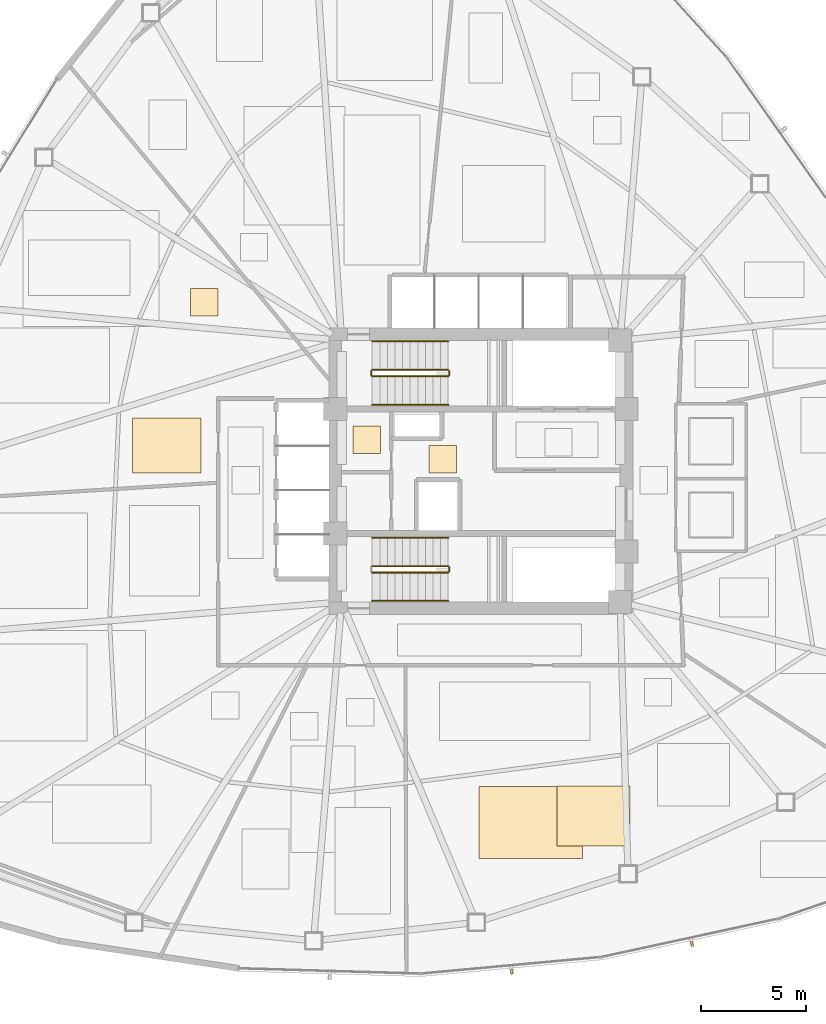
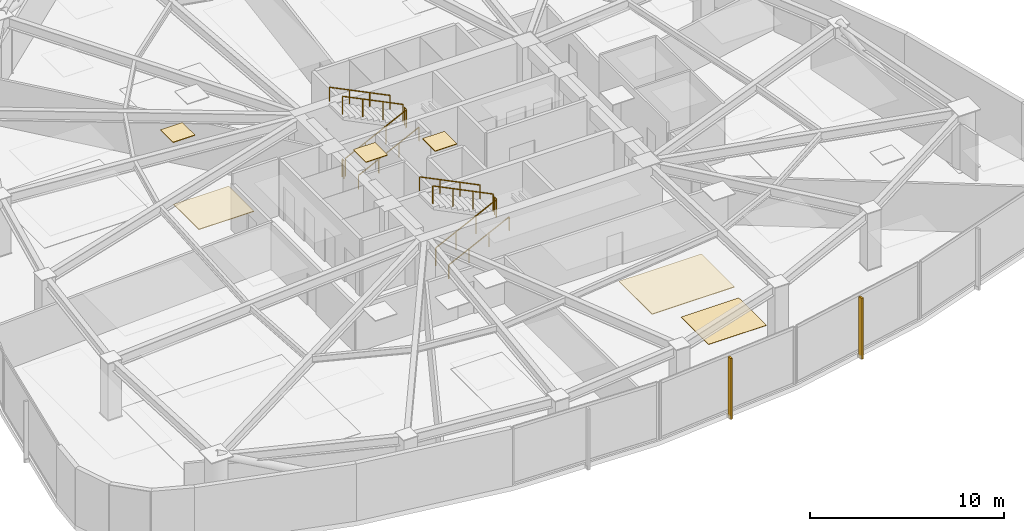
# One storey, part 14 of 16: 11 railings, 6 coverings, 2 shading devices.
"""IFC4 building model written with IfcOpenShell, lengths in metres."""

from ifc_helpers import new_model, si_unit, direction, frame, origin, origin_2d, place, context, subcontext, project, spatial, polyline, rectangle, outline, extrude, source, transform, mapped, material, layer, layer_set, type_object, type_shapes, element, save


model = new_model("IFC4")

# Units and contexts
model_context = context("Model", 3, precision=1e-05, world=origin(), true_north=direction((0.0, 1.0)))
body_context = subcontext(model_context, "Body", "Model", "MODEL_VIEW")
ifc_project = project(units=[si_unit("LENGTHUNIT", "METRE"), si_unit("AREAUNIT", "SQUARE_METRE"), si_unit("VOLUMEUNIT", "CUBIC_METRE"), si_unit("PLANEANGLEUNIT", "RADIAN"), si_unit("MASSUNIT", "GRAM", prefix="KILO")], contexts=[model_context])

# Site, building, storey
site_placement = place(None, origin())
site = spatial("IfcSite", under=ifc_project, at=site_placement, CompositionType="ELEMENT")
building_placement = place(site_placement, origin())
building = spatial("IfcBuilding", under=site, at=building_placement, Name="Tavelor Broadcast Tower", CompositionType="ELEMENT")
storey_placement = place(building_placement, frame((0.0, 0.0, 31.5)))
storey = spatial("IfcBuildingStorey", under=building, at=storey_placement, Name="L06", CompositionType="ELEMENT", Elevation=31.5)

# Covering
ifc_material_1 = material(Name="Copper-Bronze Anodized Aluminium", Category="aluminium")
ifc_layer_1 = layer(ifc_material_1, 0.044921875)
ifc_layer_set_1 = layer_set([ifc_layer_1], Name="Copper-Bronze Anodized Aluminium")
covering_type_1 = type_object("IfcCoveringType", Name="Anodised Bronze Linear Slatted Concourse Ceiling 45 mm", PredefinedType="CEILING", material=ifc_layer_set_1)
covering_1_placement = place(storey_placement, frame((0.0, 0.0, 3.554931640625)))
element("IfcCovering", 1, at=covering_1_placement, inside=storey, type_object=covering_type_1, Name="L06 Suspended Acoustic Ceiling 0162", PredefinedType="CEILING", context=body_context, shape_type="SweptSolid", body=[
    extrude(outline(polyline([(47.5400390625, 44.919921875), (48.840087890625, 44.919921875), (48.840087890625, 46.219970703125), (47.5400390625, 46.219970703125), (47.5400390625, 44.919921875)])), origin(), (0.0, 0.0, 1.0), 0.045166015625),
])

# Railings
ifc_material_2 = material(Name="Steel S355", Category="steel")
railing_type_1 = type_object("IfcRailingType", Name="Continuous Brushed Stainless Handrail 900 mm", PredefinedType="HANDRAIL", material=ifc_material_2)
railing_1_placement = place(storey_placement, frame((44.85009765625, 48.14990234375, 0.17724609375)))
element("IfcRailing", 2, at=railing_1_placement, inside=storey, type_object=railing_type_1, Name="L06 ST1 stair handrail 1", PredefinedType="HANDRAIL", context=body_context, shape_type="SweptSolid", body=[
    extrude(rectangle(XDim=0.048095703125, YDim=0.048095703125, at=origin_2d()), frame((0.0, 0.0, 0.8759765625), z_axis=(0.897124305991, 0.0, 0.441778201817), x_axis=(0.0, 1.0, 0.0)), (0.0, 0.0, 1.0), 4.0126953125),
    extrude(rectangle(XDim=0.0419921875, YDim=0.0419921875, at=origin_2d()), origin(), (0.0, 0.0, 1.0), 0.851806640625),
    extrude(rectangle(XDim=0.0419921875, YDim=0.0419921875, at=origin_2d()), frame((1.199951171875, 0.0, 0.5908203125)), (0.0, 0.0, 1.0), 0.851806640625),
    extrude(rectangle(XDim=0.0419921875, YDim=0.0419921875, at=origin_2d()), frame((2.39990234375, 0.0, 1.181884765625)), (0.0, 0.0, 1.0), 0.851806640625),
    extrude(rectangle(XDim=0.0419921875, YDim=0.0419921875, at=origin_2d()), frame((3.599853515625, 0.0, 1.772705078125)), (0.0, 0.0, 1.0), 0.851806640625),
])
railing_2_placement = place(storey_placement, frame((48.449951171875, 51.14990234375, 2.127197265625)))
element("IfcRailing", 3, at=railing_2_placement, inside=storey, type_object=railing_type_1, Name="L06 ST1 stair handrail 2", PredefinedType="HANDRAIL", context=body_context, shape_type="SweptSolid", body=[
    extrude(rectangle(XDim=0.048095703125, YDim=0.048095703125, at=origin_2d()), frame((0.0, 0.0, 0.8759765625), z_axis=(-0.897124305991, 0.0, 0.441778201817), x_axis=(0.0, -1.0, 0.0)), (0.0, 0.0, 1.0), 4.0126953125),
    extrude(rectangle(XDim=0.0419921875, YDim=0.0419921875, at=origin_2d()), origin(), (0.0, 0.0, 1.0), 0.851806640625),
    extrude(rectangle(XDim=0.0419921875, YDim=0.0419921875, at=origin_2d()), frame((-1.199951171875, 0.0, 0.5908203125)), (0.0, 0.0, 1.0), 0.851806640625),
    extrude(rectangle(XDim=0.0419921875, YDim=0.0419921875, at=origin_2d()), frame((-2.39990234375, 0.0, 1.181884765625)), (0.0, 0.0, 1.0), 0.851806640625),
    extrude(rectangle(XDim=0.0419921875, YDim=0.0419921875, at=origin_2d()), frame((-3.599853515625, 0.0, 1.772705078125)), (0.0, 0.0, 1.0), 0.851806640625),
])
railing_3_placement = place(storey_placement, frame((44.85009765625, 38.85009765625, 0.17724609375)))
element("IfcRailing", 4, at=railing_3_placement, inside=storey, type_object=railing_type_1, Name="L06 ST2 stair handrail 1", PredefinedType="HANDRAIL", context=body_context, shape_type="SweptSolid", body=[
    extrude(rectangle(XDim=0.048095703125, YDim=0.048095703125, at=origin_2d()), frame((0.0, 0.0, 0.8759765625), z_axis=(0.897124305991, 0.0, 0.441778201817), x_axis=(0.0, 1.0, 0.0)), (0.0, 0.0, 1.0), 4.0126953125),
    extrude(rectangle(XDim=0.0419921875, YDim=0.0419921875, at=origin_2d()), origin(), (0.0, 0.0, 1.0), 0.851806640625),
    extrude(rectangle(XDim=0.0419921875, YDim=0.0419921875, at=origin_2d()), frame((1.199951171875, 0.0, 0.5908203125)), (0.0, 0.0, 1.0), 0.851806640625),
    extrude(rectangle(XDim=0.0419921875, YDim=0.0419921875, at=origin_2d()), frame((2.39990234375, 0.0, 1.181884765625)), (0.0, 0.0, 1.0), 0.851806640625),
    extrude(rectangle(XDim=0.0419921875, YDim=0.0419921875, at=origin_2d()), frame((3.599853515625, 0.0, 1.772705078125)), (0.0, 0.0, 1.0), 0.851806640625),
])
railing_4_placement = place(storey_placement, frame((48.449951171875, 41.85009765625, 2.127197265625)))
element("IfcRailing", 5, at=railing_4_placement, inside=storey, type_object=railing_type_1, Name="L06 ST2 stair handrail 2", PredefinedType="HANDRAIL", context=body_context, shape_type="SweptSolid", body=[
    extrude(rectangle(XDim=0.048095703125, YDim=0.048095703125, at=origin_2d()), frame((0.0, 0.0, 0.8759765625), z_axis=(-0.897124305991, 0.0, 0.441778201817), x_axis=(0.0, -1.0, 0.0)), (0.0, 0.0, 1.0), 4.0126953125),
    extrude(rectangle(XDim=0.0419921875, YDim=0.0419921875, at=origin_2d()), origin(), (0.0, 0.0, 1.0), 0.851806640625),
    extrude(rectangle(XDim=0.0419921875, YDim=0.0419921875, at=origin_2d()), frame((-1.199951171875, 0.0, 0.5908203125)), (0.0, 0.0, 1.0), 0.851806640625),
    extrude(rectangle(XDim=0.0419921875, YDim=0.0419921875, at=origin_2d()), frame((-2.39990234375, 0.0, 1.181884765625)), (0.0, 0.0, 1.0), 0.851806640625),
    extrude(rectangle(XDim=0.0419921875, YDim=0.0419921875, at=origin_2d()), frame((-3.599853515625, 0.0, 1.772705078125)), (0.0, 0.0, 1.0), 0.851806640625),
])

# Covering
ifc_material_3 = material(Name="Acoustic Nylon Carpet Tile")
ifc_layer_2 = layer(ifc_material_3, 0.02001953125)
ifc_layer_set_2 = layer_set([ifc_layer_2], Name="Acoustic Nylon Carpet Tile")
covering_type_2 = type_object("IfcCoveringType", Name="Heavy-Duty Acoustic Broadcast Carpet Tile 20 mm", PredefinedType="FLOORING", material=ifc_layer_set_2)
covering_2_placement = place(storey_placement, origin())
element("IfcCovering", 6, at=covering_2_placement, inside=storey, type_object=covering_type_2, Name="L06 Broadcast Floor Finish 0066", PredefinedType="FLOORING", context=body_context, shape_type="SweptSolid", body=[
    extrude(outline(polyline([(53.620361328125, 27.247802734375), (57.057861328125, 27.247802734375), (57.057861328125, 30.08935546875), (53.620361328125, 30.08935546875), (53.620361328125, 27.247802734375)])), origin(), (0.0, 0.0, 1.0), 0.02001953125),
])

# Railings
railing_type_2 = type_object("IfcRailingType", Name="Stairwell Steel Safety Guardrail 1150 mm", PredefinedType="GUARDRAIL", material=ifc_material_2)
railing_5_placement = place(storey_placement, frame((44.85009765625, 49.5, 0.17724609375)))
element("IfcRailing", 7, at=railing_5_placement, inside=storey, type_object=railing_type_2, Name="L06 ST1 stair guard 1", PredefinedType="GUARDRAIL", context=body_context, shape_type="SweptSolid", body=[
    extrude(rectangle(XDim=0.048095703125, YDim=0.048095703125, at=origin_2d()), frame((0.0, 0.0, 1.1259765625), z_axis=(0.897124305991, 0.0, 0.441778201817), x_axis=(0.0, 1.0, 0.0)), (0.0, 0.0, 1.0), 4.0126953125),
    extrude(rectangle(XDim=0.0419921875, YDim=0.0419921875, at=origin_2d()), origin(), (0.0, 0.0, 1.0), 1.101806640625),
    extrude(rectangle(XDim=0.0419921875, YDim=0.0419921875, at=origin_2d()), frame((1.199951171875, 0.0, 0.5908203125)), (0.0, 0.0, 1.0), 1.101806640625),
    extrude(rectangle(XDim=0.0419921875, YDim=0.0419921875, at=origin_2d()), frame((2.39990234375, 0.0, 1.181884765625)), (0.0, 0.0, 1.0), 1.101806640625),
    extrude(rectangle(XDim=0.0419921875, YDim=0.0419921875, at=origin_2d()), frame((3.599853515625, 0.0, 1.772705078125)), (0.0, 0.0, 1.0), 1.101806640625),
])
railing_6_placement = place(storey_placement, frame((48.5, 49.550048828125, 1.949951171875)))
element("IfcRailing", 8, at=railing_6_placement, inside=storey, type_object=railing_type_2, Name="L06 ST1 stair guard 2", PredefinedType="GUARDRAIL", context=body_context, shape_type="SweptSolid", body=[
    extrude(rectangle(XDim=0.048095703125, YDim=0.048095703125, at=origin_2d()), frame((0.0, 0.0, 1.1259765625), z_axis=(0.0, 1.0, 0.0), x_axis=(-1.0, 0.0, 0.0)), (0.0, 0.0, 1.0), 0.199951171875),
    extrude(rectangle(XDim=0.0419921875, YDim=0.0419921875, at=origin_2d()), origin(), (0.0, 0.0, 1.0), 1.101806640625),
    extrude(rectangle(XDim=0.0419921875, YDim=0.0419921875, at=origin_2d()), frame((0.0, 0.199951171875, 0.0)), (0.0, 0.0, 1.0), 1.101806640625),
])
railing_7_placement = place(storey_placement, frame((48.449951171875, 49.800048828125, 2.127197265625)))
element("IfcRailing", 9, at=railing_7_placement, inside=storey, type_object=railing_type_2, Name="L06 ST1 stair guard 3", PredefinedType="GUARDRAIL", context=body_context, shape_type="SweptSolid", body=[
    extrude(rectangle(XDim=0.048095703125, YDim=0.048095703125, at=origin_2d()), frame((0.0, 0.0, 1.1259765625), z_axis=(-0.897124305991, 0.0, 0.441778201817), x_axis=(0.0, -1.0, 0.0)), (0.0, 0.0, 1.0), 4.0126953125),
    extrude(rectangle(XDim=0.0419921875, YDim=0.0419921875, at=origin_2d()), origin(), (0.0, 0.0, 1.0), 1.101806640625),
    extrude(rectangle(XDim=0.0419921875, YDim=0.0419921875, at=origin_2d()), frame((-1.199951171875, 0.0, 0.5908203125)), (0.0, 0.0, 1.0), 1.101806640625),
    extrude(rectangle(XDim=0.0419921875, YDim=0.0419921875, at=origin_2d()), frame((-2.39990234375, 0.0, 1.181884765625)), (0.0, 0.0, 1.0), 1.101806640625),
    extrude(rectangle(XDim=0.0419921875, YDim=0.0419921875, at=origin_2d()), frame((-3.599853515625, 0.0, 1.772705078125)), (0.0, 0.0, 1.0), 1.101806640625),
])
railing_8_placement = place(storey_placement, frame((44.800048828125, 49.550048828125, 0.0)))
element("IfcRailing", 10, at=railing_8_placement, inside=storey, type_object=railing_type_2, Name="L06 ST1 stair guard 4", PredefinedType="GUARDRAIL", context=body_context, shape_type="SweptSolid", body=[
    extrude(rectangle(XDim=0.048095703125, YDim=0.048095703125, at=origin_2d()), frame((0.0, 0.0, 1.1259765625), z_axis=(0.0, 1.0, 0.0), x_axis=(-1.0, 0.0, 0.0)), (0.0, 0.0, 1.0), 0.199951171875),
    extrude(rectangle(XDim=0.0419921875, YDim=0.0419921875, at=origin_2d()), origin(), (0.0, 0.0, 1.0), 1.101806640625),
    extrude(rectangle(XDim=0.0419921875, YDim=0.0419921875, at=origin_2d()), frame((0.0, 0.199951171875, 0.0)), (0.0, 0.0, 1.0), 1.101806640625),
])
railing_9_placement = place(storey_placement, frame((44.85009765625, 40.199951171875, 0.17724609375)))
element("IfcRailing", 11, at=railing_9_placement, inside=storey, type_object=railing_type_2, Name="L06 ST2 stair guard 1", PredefinedType="GUARDRAIL", context=body_context, shape_type="SweptSolid", body=[
    extrude(rectangle(XDim=0.048095703125, YDim=0.048095703125, at=origin_2d()), frame((0.0, 0.0, 1.1259765625), z_axis=(0.897124305991, 0.0, 0.441778201817), x_axis=(0.0, 1.0, 0.0)), (0.0, 0.0, 1.0), 4.0126953125),
    extrude(rectangle(XDim=0.0419921875, YDim=0.0419921875, at=origin_2d()), origin(), (0.0, 0.0, 1.0), 1.101806640625),
    extrude(rectangle(XDim=0.0419921875, YDim=0.0419921875, at=origin_2d()), frame((1.199951171875, 0.0, 0.5908203125)), (0.0, 0.0, 1.0), 1.101806640625),
    extrude(rectangle(XDim=0.0419921875, YDim=0.0419921875, at=origin_2d()), frame((2.39990234375, 0.0, 1.181884765625)), (0.0, 0.0, 1.0), 1.101806640625),
    extrude(rectangle(XDim=0.0419921875, YDim=0.0419921875, at=origin_2d()), frame((3.599853515625, 0.0, 1.772705078125)), (0.0, 0.0, 1.0), 1.101806640625),
])
railing_10_placement = place(storey_placement, frame((48.5, 40.25, 1.949951171875)))
element("IfcRailing", 12, at=railing_10_placement, inside=storey, type_object=railing_type_2, Name="L06 ST2 stair guard 2", PredefinedType="GUARDRAIL", context=body_context, shape_type="SweptSolid", body=[
    extrude(rectangle(XDim=0.048095703125, YDim=0.048095703125, at=origin_2d()), frame((0.0, 0.0, 1.1259765625), z_axis=(0.0, 1.0, 0.0), x_axis=(-1.0, 0.0, 0.0)), (0.0, 0.0, 1.0), 0.199951171875),
    extrude(rectangle(XDim=0.0419921875, YDim=0.0419921875, at=origin_2d()), origin(), (0.0, 0.0, 1.0), 1.101806640625),
    extrude(rectangle(XDim=0.0419921875, YDim=0.0419921875, at=origin_2d()), frame((0.0, 0.199951171875, 0.0)), (0.0, 0.0, 1.0), 1.101806640625),
])
railing_11_placement = place(storey_placement, frame((48.449951171875, 40.5, 2.127197265625)))
element("IfcRailing", 13, at=railing_11_placement, inside=storey, type_object=railing_type_2, Name="L06 ST2 stair guard 3", PredefinedType="GUARDRAIL", context=body_context, shape_type="SweptSolid", body=[
    extrude(rectangle(XDim=0.048095703125, YDim=0.048095703125, at=origin_2d()), frame((0.0, 0.0, 1.1259765625), z_axis=(-0.897124305991, 0.0, 0.441778201817), x_axis=(0.0, -1.0, 0.0)), (0.0, 0.0, 1.0), 4.0126953125),
    extrude(rectangle(XDim=0.0419921875, YDim=0.0419921875, at=origin_2d()), origin(), (0.0, 0.0, 1.0), 1.101806640625),
    extrude(rectangle(XDim=0.0419921875, YDim=0.0419921875, at=origin_2d()), frame((-1.199951171875, 0.0, 0.5908203125)), (0.0, 0.0, 1.0), 1.101806640625),
    extrude(rectangle(XDim=0.0419921875, YDim=0.0419921875, at=origin_2d()), frame((-2.39990234375, 0.0, 1.181884765625)), (0.0, 0.0, 1.0), 1.101806640625),
    extrude(rectangle(XDim=0.0419921875, YDim=0.0419921875, at=origin_2d()), frame((-3.599853515625, 0.0, 1.772705078125)), (0.0, 0.0, 1.0), 1.101806640625),
])

# Coverings
ifc_material_4 = material(Name="Acoustic Mineral Fibre Tile")
ifc_layer_3 = layer(ifc_material_4, 0.0400390625)
ifc_layer_set_3 = layer_set([ifc_layer_3], Name="Acoustic Mineral Fibre Tile")
covering_type_3 = type_object("IfcCoveringType", Name="Suspended Acoustic Mineral-Fibre Office Ceiling 40 mm", PredefinedType="CEILING", material=ifc_layer_set_3)
covering_3_placement = place(storey_placement, frame((0.0, 0.0, 3.56005859375)))
element("IfcCovering", 14, at=covering_3_placement, inside=storey, type_object=covering_type_3, Name="L06 Suspended Acoustic Ceiling 0163", PredefinedType="CEILING", context=body_context, shape_type="SweptSolid", body=[
    extrude(outline(polyline([(43.951416015625, 45.843017578125), (45.25146484375, 45.843017578125), (45.25146484375, 47.14306640625), (43.951416015625, 47.14306640625), (43.951416015625, 45.843017578125)])), origin(), (0.0, 0.0, 1.0), 0.0400390625),
])
covering_4_placement = place(storey_placement, frame((0.0, 0.0, 3.56005859375)))
element("IfcCovering", 15, at=covering_4_placement, inside=storey, type_object=covering_type_3, Name="L06 Suspended Acoustic Ceiling 0173", PredefinedType="CEILING", context=body_context, shape_type="SweptSolid", body=[
    extrude(outline(polyline([(49.9033203125, 26.638916015625), (54.817138671875, 26.638916015625), (54.817138671875, 30.0517578125), (49.9033203125, 30.0517578125), (49.9033203125, 26.638916015625)])), origin(), (0.0, 0.0, 1.0), 0.0400390625),
])
covering_5_placement = place(storey_placement, frame((0.0, 0.0, 3.56005859375)))
element("IfcCovering", 16, at=covering_5_placement, inside=storey, type_object=covering_type_3, Name="L06 Suspended Acoustic Ceiling 0184", PredefinedType="CEILING", context=body_context, shape_type="SweptSolid", body=[
    extrude(outline(polyline([(36.241943359375, 52.354736328125), (37.5419921875, 52.354736328125), (37.5419921875, 53.65478515625), (36.241943359375, 53.65478515625), (36.241943359375, 52.354736328125)])), origin(), (0.0, 0.0, 1.0), 0.0400390625),
])
covering_6_placement = place(storey_placement, frame((0.0, 0.0, 3.56005859375)))
element("IfcCovering", 17, at=covering_6_placement, inside=storey, type_object=covering_type_3, Name="L06 Suspended Acoustic Ceiling 0185", PredefinedType="CEILING", context=body_context, shape_type="SweptSolid", body=[
    extrude(outline(polyline([(33.478515625, 44.911865234375), (36.747802734375, 44.911865234375), (36.747802734375, 47.515869140625), (33.478515625, 47.515869140625), (33.478515625, 44.911865234375)])), origin(), (0.0, 0.0, 1.0), 0.0400390625),
])

# Shading devices
ifc_material_5 = material(Name="Kiln-Fired Glazed Terracotta", Category="masonry")
shading_device_type = type_object("IfcShadingDeviceType", Name="Extruded Terracotta Baguette Sun-Screen 110x240", PredefinedType="JALOUSIE", material=ifc_material_5)
shared_shape = source(origin(), body_context, "Body", "SweptSolid", [
    extrude(rectangle(XDim=0.110107421875, YDim=0.239990234375, at=origin_2d()), origin(), (0.0, 0.0, 1.0), 3.840087890625),
])
type_shapes(shading_device_type, [shared_shape])
for number, where, z_axis, x_axis, name in (
    (18, (51.466796875, 21.27880859375, -0.26025390625), (0.0, 0.0, 1.0), (0.995756880939, 0.092023008338, 0.0), "L06 Terracotta Baguette Fin 30"),
    (19, (60.0048828125, 22.59326171875, -0.26025390625), (0.0, 0.0, 1.0), (0.977305110904, 0.21183654123, 0.0), "L06 Terracotta Baguette Fin 31"),
):
    element("IfcShadingDevice", number, at=place(storey_placement, frame(where, z_axis=z_axis, x_axis=x_axis)), inside=storey, type_object=shading_device_type, Name=name, PredefinedType="JALOUSIE", context=body_context, shape_type="MappedRepresentation", body=[
        mapped(shared_shape, transform((0.0, 0.0, 0.0), scale=1.0)),
    ])

save(model, "model.ifc")
